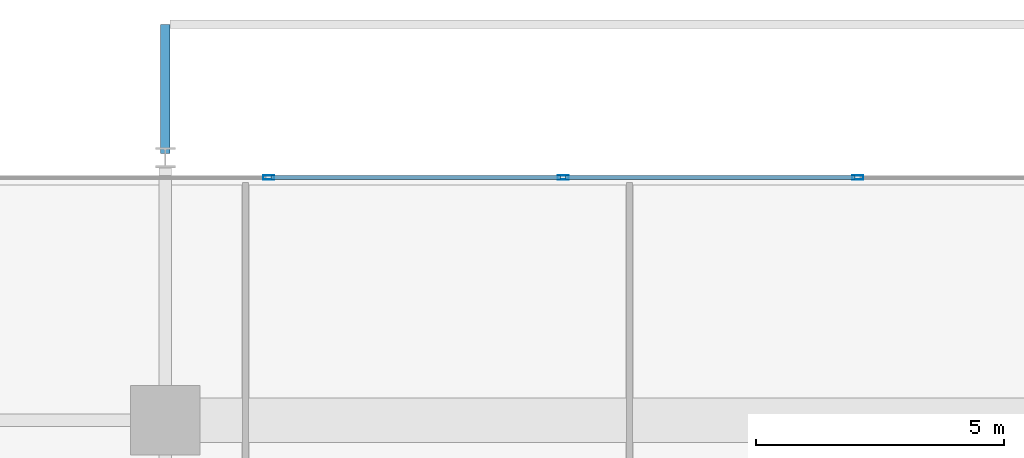
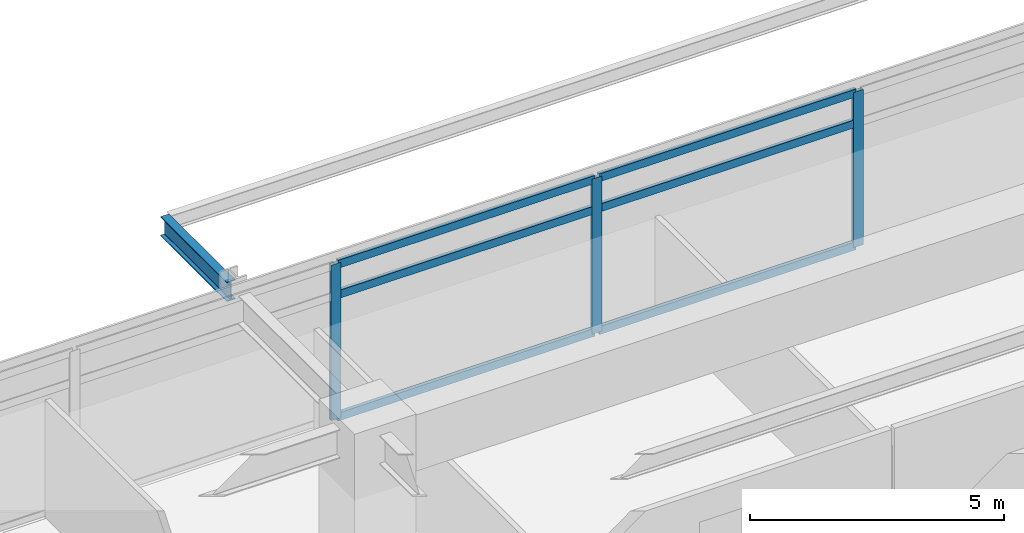
# One storey, part 10 of 21: 9 members, 1 beam, 1 element without a shape of its own.
"""IFC4 building model written with IfcOpenShell, lengths in metres."""

from ifc_helpers import new_model, si_unit, direction, frame, origin, origin_2d, place, context, subcontext, project, spatial, hollow_rectangle, i_section, extrude, material, material_profile, profile_set, type_object, element, aggregate, save


model = new_model("IFC4")

# Units and contexts
model_context = context("Model", 3, precision=1e-05, world=origin(), true_north=direction((0.0, 1.0)))
body_context = subcontext(model_context, "Body", "Model", "MODEL_VIEW")
ifc_project = project(units=[si_unit("LENGTHUNIT", "METRE"), si_unit("AREAUNIT", "SQUARE_METRE"), si_unit("VOLUMEUNIT", "CUBIC_METRE"), si_unit("PLANEANGLEUNIT", "RADIAN"), si_unit("MASSUNIT", "GRAM", prefix="KILO")], contexts=[model_context])

# Site, building, storey
site_placement = place(None, origin())
site = spatial("IfcSite", under=ifc_project, at=site_placement, CompositionType="ELEMENT")
building_placement = place(site_placement, origin())
building = spatial("IfcBuilding", under=site, at=building_placement, Name="Kovane Verandah Tower", CompositionType="ELEMENT")
storey_placement = place(building_placement, frame((0.0, 0.0, 205.199951171875)))
storey = spatial("IfcBuildingStorey", under=building, at=storey_placement, Name="L47", CompositionType="ELEMENT", Elevation=205.199951171875)

# Curtain wall, members
ifc_material_1 = material(Name="Champagne Anodised Aluminium Frame with Low-E Clear Laminated Glass", Category="aluminium")
curtain_wall_type = type_object("IfcCurtainWallType", Name="CW-SYS-03-MID", PredefinedType="NOTDEFINED", material=ifc_material_1)
curtain_wall_placement = place(storey_placement, origin())
curtain_wall = element("IfcCurtainWall", 1, at=curtain_wall_placement, inside=storey, type_object=curtain_wall_type, Name="L47 N Unitised Curtain Wall", PredefinedType="NOTDEFINED")
ifc_material_2 = material(Name="Champagne Anodised Aluminium 6063-T6", Category="aluminium")
ifc_material_profile_1 = material_profile(ifc_material_2, hollow_rectangle(XDim=0.0849609375, YDim=0.22998046875, WallThickness=0.00390625, at=origin_2d()), Name="AL85x230x4")
ifc_profile_set_1 = profile_set([ifc_material_profile_1], Name="Champagne Anodised Aluminium 6063-T6")
member_type_1 = type_object("IfcMemberType", Name="CW-MUL-85x230", PredefinedType="MULLION", material=ifc_profile_set_1)
member_1_placement = place(storey_placement, frame((42.971435546875, 49.10009765625, 0.02001953125), z_axis=(0.0, 0.0, 1.0), x_axis=(0.0, 1.0, 0.0)))
member_1 = element("IfcMember", 2, at=member_1_placement, type_object=member_type_1, Name="L47 N Unitised Curtain Wall Mullion 4", PredefinedType="MULLION", context=body_context, shape_type="SweptSolid", body=[
    extrude(hollow_rectangle(XDim=0.0849609375, YDim=0.22998046875, WallThickness=0.00390625, at=origin_2d()), origin(), (0.0, 0.0, 1.0), 3.735107421875),
])
member_2_placement = place(storey_placement, frame((37.028564453125, 49.10009765625, 0.02001953125), z_axis=(0.0, 0.0, 1.0), x_axis=(0.0, 1.0, 0.0)))
member_2 = element("IfcMember", 3, at=member_2_placement, type_object=member_type_1, Name="L47 N Unitised Curtain Wall Mullion 5", PredefinedType="MULLION", context=body_context, shape_type="SweptSolid", body=[
    extrude(hollow_rectangle(XDim=0.0849609375, YDim=0.22998046875, WallThickness=0.00390625, at=origin_2d()), origin(), (0.0, 0.0, 1.0), 3.735107421875),
])
member_3_placement = place(storey_placement, frame((31.085693359375, 49.10009765625, 0.02001953125), z_axis=(0.0, 0.0, 1.0), x_axis=(0.0, 1.0, 0.0)))
member_3 = element("IfcMember", 4, at=member_3_placement, type_object=member_type_1, Name="L47 N Unitised Curtain Wall Mullion 6", PredefinedType="MULLION", context=body_context, shape_type="SweptSolid", body=[
    extrude(hollow_rectangle(XDim=0.0849609375, YDim=0.22998046875, WallThickness=0.00390625, at=origin_2d()), origin(), (0.0, 0.0, 1.0), 3.735107421875),
])
ifc_material_profile_2 = material_profile(ifc_material_2, hollow_rectangle(XDim=0.0849609375, YDim=0.18994140625, WallThickness=0.00390625, at=origin_2d()), Name="AL85x190x4")
ifc_profile_set_2 = profile_set([ifc_material_profile_2], Name="Champagne Anodised Aluminium 6063-T6")
member_type_2 = type_object("IfcMemberType", Name="CW-TRN-85x190", PredefinedType="USERDEFINED", material=ifc_profile_set_2)
member_4_placement = place(storey_placement, frame((42.92138671875, 49.10009765625, 0.050048828125), z_axis=(-1.0, 0.0, 0.0), x_axis=(0.0, -1.0, 0.0)))
member_4 = element("IfcMember", 5, at=member_4_placement, type_object=member_type_2, Name="L47 N Unitised Curtain Wall Transom TB Bay 4", ObjectType="TRANSOM", PredefinedType="USERDEFINED", context=body_context, shape_type="SweptSolid", body=[
    extrude(hollow_rectangle(XDim=0.0849609375, YDim=0.18994140625, WallThickness=0.00390625, at=origin_2d()), origin(), (0.0, 0.0, 1.0), 5.8427734375),
])
member_5_placement = place(storey_placement, frame((42.92138671875, 49.10009765625, 2.9951171875), z_axis=(-1.0, 0.0, 0.0), x_axis=(0.0, -1.0, 0.0)))
member_5 = element("IfcMember", 6, at=member_5_placement, type_object=member_type_2, Name="L47 N Unitised Curtain Wall Transom TM Bay 4", ObjectType="TRANSOM", PredefinedType="USERDEFINED", context=body_context, shape_type="SweptSolid", body=[
    extrude(hollow_rectangle(XDim=0.0849609375, YDim=0.18994140625, WallThickness=0.00390625, at=origin_2d()), origin(), (0.0, 0.0, 1.0), 5.8427734375),
])
member_6_placement = place(storey_placement, frame((42.92138671875, 49.10009765625, 3.72509765625), z_axis=(-1.0, 0.0, 0.0), x_axis=(0.0, -1.0, 0.0)))
member_6 = element("IfcMember", 7, at=member_6_placement, type_object=member_type_2, Name="L47 N Unitised Curtain Wall Transom TT Bay 4", ObjectType="TRANSOM", PredefinedType="USERDEFINED", context=body_context, shape_type="SweptSolid", body=[
    extrude(hollow_rectangle(XDim=0.0849609375, YDim=0.18994140625, WallThickness=0.00390625, at=origin_2d()), origin(), (0.0, 0.0, 1.0), 5.8427734375),
])
member_7_placement = place(storey_placement, frame((36.978515625, 49.10009765625, 0.050048828125), z_axis=(-1.0, 0.0, 0.0), x_axis=(0.0, -1.0, 0.0)))
member_7 = element("IfcMember", 8, at=member_7_placement, type_object=member_type_2, Name="L47 N Unitised Curtain Wall Transom TB Bay 5", ObjectType="TRANSOM", PredefinedType="USERDEFINED", context=body_context, shape_type="SweptSolid", body=[
    extrude(hollow_rectangle(XDim=0.0849609375, YDim=0.18994140625, WallThickness=0.00390625, at=origin_2d()), origin(), (0.0, 0.0, 1.0), 5.8427734375),
])
member_8_placement = place(storey_placement, frame((36.978515625, 49.10009765625, 2.9951171875), z_axis=(-1.0, 0.0, 0.0), x_axis=(0.0, -1.0, 0.0)))
member_8 = element("IfcMember", 9, at=member_8_placement, type_object=member_type_2, Name="L47 N Unitised Curtain Wall Transom TM Bay 5", ObjectType="TRANSOM", PredefinedType="USERDEFINED", context=body_context, shape_type="SweptSolid", body=[
    extrude(hollow_rectangle(XDim=0.0849609375, YDim=0.18994140625, WallThickness=0.00390625, at=origin_2d()), origin(), (0.0, 0.0, 1.0), 5.8427734375),
])
member_9_placement = place(storey_placement, frame((36.978515625, 49.10009765625, 3.72509765625), z_axis=(-1.0, 0.0, 0.0), x_axis=(0.0, -1.0, 0.0)))
member_9 = element("IfcMember", 10, at=member_9_placement, type_object=member_type_2, Name="L47 N Unitised Curtain Wall Transom TT Bay 5", ObjectType="TRANSOM", PredefinedType="USERDEFINED", context=body_context, shape_type="SweptSolid", body=[
    extrude(hollow_rectangle(XDim=0.0849609375, YDim=0.18994140625, WallThickness=0.00390625, at=origin_2d()), origin(), (0.0, 0.0, 1.0), 5.8427734375),
])
aggregate(curtain_wall, [member_1, member_2, member_3, member_4, member_5, member_6, member_7, member_8, member_9])

# Beam
ifc_material_3 = material(Name="Steel S355", Category="steel")
ifc_material_profile_3 = material_profile(ifc_material_3, i_section(OverallWidth=0.19287109375, OverallDepth=0.46728515625, WebThickness=0.011474609375, FlangeThickness=0.01953125, FilletRadius=0.01025390625, at=origin_2d()), Name="UB457x191x98")
ifc_profile_set_3 = profile_set([ifc_material_profile_3], Name="Steel S355")
beam_type = type_object("IfcBeamType", Name="JST-UB457x98", PredefinedType="JOIST", material=ifc_profile_set_3)
beam_placement = place(storey_placement, frame((29.0, 49.580078125, 3.5263671875), z_axis=(0.0, 1.0, 0.0), x_axis=(-1.0, 0.0, 0.0)))
element("IfcBeam", 11, at=beam_placement, inside=storey, type_object=beam_type, Name="L47 North Planter Girder 1", PredefinedType="JOIST", context=body_context, shape_type="SweptSolid", body=[
    extrude(i_section(OverallWidth=0.19287109375, OverallDepth=0.46728515625, WebThickness=0.011474609375, FlangeThickness=0.01953125, FilletRadius=0.01025390625, at=origin_2d()), origin(), (0.0, 0.0, 1.0), 2.611572265625),
])

save(model, "model.ifc")
